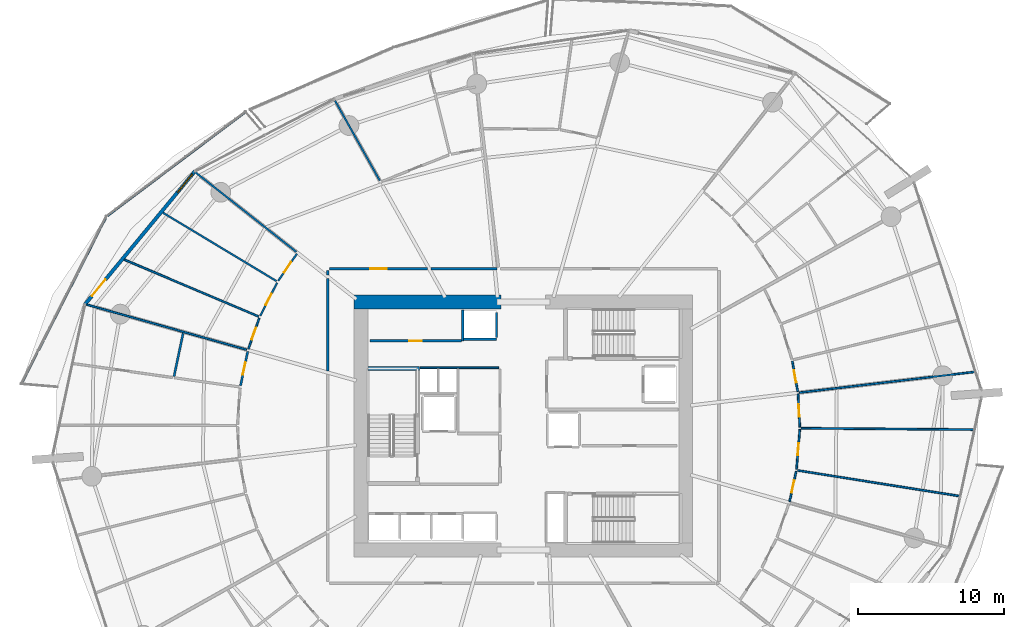
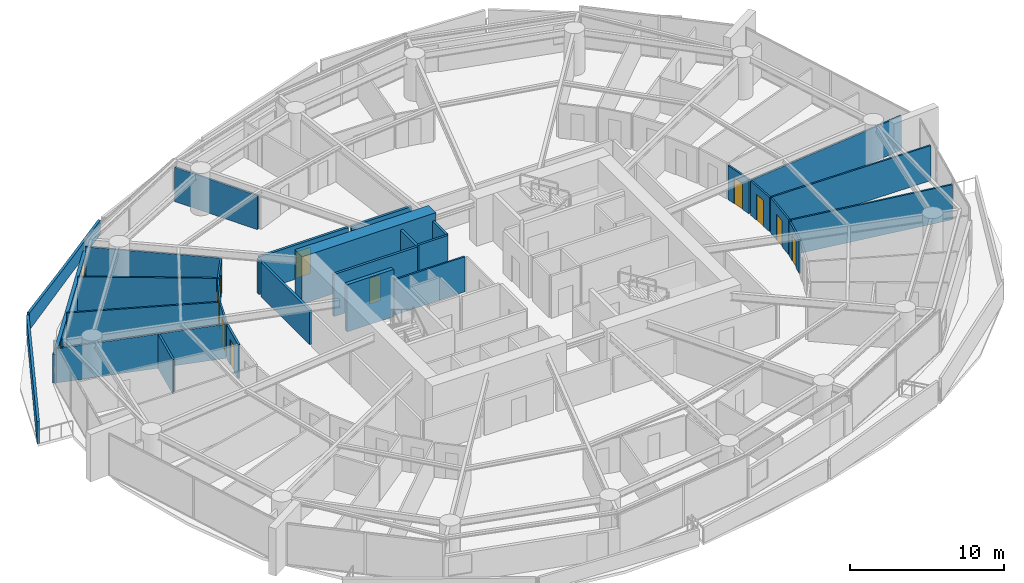
# One storey, part 22 of 31: 31 walls, 11 doors, 1 window, 12 openings.
"""IFC4 building model written with IfcOpenShell, lengths in metres."""

from ifc_helpers import new_model, si_unit, direction, frame, frame_2d, origin, place, context, subcontext, project, spatial, polyline, rectangle, outline, extrude, material, layer, layer_set, type_object, element, fill, save


model = new_model("IFC4")

# Units and contexts
model_context = context("Model", 3, precision=1e-05, world=origin(), true_north=direction((0.0, 1.0)))
body_context = subcontext(model_context, "Body", "Model", "MODEL_VIEW")
ifc_project = project(units=[si_unit("LENGTHUNIT", "METRE"), si_unit("AREAUNIT", "SQUARE_METRE"), si_unit("VOLUMEUNIT", "CUBIC_METRE"), si_unit("PLANEANGLEUNIT", "RADIAN"), si_unit("MASSUNIT", "GRAM", prefix="KILO")], contexts=[model_context])

# Site, building, storey
site_placement = place(None, origin())
site = spatial("IfcSite", under=ifc_project, at=site_placement, CompositionType="ELEMENT")
building_placement = place(site_placement, origin())
building = spatial("IfcBuilding", under=site, at=building_placement, Name="Kazma Halo Residences", CompositionType="ELEMENT")
storey_placement = place(building_placement, frame((0.0, 0.0, 67.64990234375)))
storey = spatial("IfcBuildingStorey", under=building, at=storey_placement, Name="L16", CompositionType="ELEMENT", Elevation=67.64990234375)

# Walls
ifc_material_1 = material(Name="White Concrete C50/60 Balustrade", Category="concrete")
ifc_layer_1 = layer(ifc_material_1, 0.179931640625)
ifc_layer_set_1 = layer_set([ifc_layer_1], Name="White Concrete C50/60 Balustrade")
wall_type_1 = type_object("IfcWallType", Name="WL-BAL-WAVE-180", PredefinedType="PARAPET", material=ifc_layer_set_1)
wall_1_placement = place(storey_placement, frame((29.413330078125, 63.494873046875, 0.0), z_axis=(0.0, 0.0, 1.0), x_axis=(-0.798916487869, -0.601441971773, 0.0)))
element("IfcWall", 1, at=wall_1_placement, inside=storey, type_object=wall_type_1, Name="L16 white wave balustrade wall NW.1", PredefinedType="PARAPET", context=body_context, shape_type="SweptSolid", body=[
    extrude(outline(polyline([(0.0, 0.0), (11.802978515625, 0.0), (11.802978515625, 1.34814453125), (5.901611328125, 1.18212890625), (0.0, 1.1201171875), (0.0, 0.0)])), frame((0.0, 0.08984375, 0.0), z_axis=(0.0, -1.0, 0.0), x_axis=(1.0, 0.0, 0.0)), (0.0, 0.0, 1.0), 0.179931640625),
])
wall_2_placement = place(storey_placement, frame((19.83349609375, 56.216796875, 0.0), z_axis=(0.0, 0.0, 1.0), x_axis=(-0.452795448166, -0.891614424581, 0.0)))
element("IfcWall", 2, at=wall_2_placement, inside=storey, type_object=wall_type_1, Name="L16 white wave balustrade wall NW.2", PredefinedType="PARAPET", context=body_context, shape_type="SweptSolid", body=[
    extrude(outline(polyline([(0.0, 0.0), (12.716796875, 0.0), (12.716796875, 1.7470703125), (6.3583984375, 1.56201171875), (0.0, 1.34814453125), (0.0, 0.0)])), frame((0.0, 0.08984375, 0.0), z_axis=(0.0, -1.0, 0.0), x_axis=(1.0, 0.0, 0.0)), (0.0, 0.0, 1.0), 0.179931640625),
])
ifc_material_2 = material(Name="Concrete C80/95", Category="concrete")
ifc_layer_2 = layer(ifc_material_2, 0.949951171875)
ifc_layer_set_2 = layer_set([ifc_layer_2], Name="Concrete C80/95")
wall_type_2 = type_object("IfcWallType", Name="WL-CORE-950", PredefinedType="SHEAR", material=ifc_layer_set_2)
wall_3_placement = place(storey_placement, frame((36.85009765625, 50.47509765625, 0.0), z_axis=(0.0, 0.0, 1.0), x_axis=(1.0, 0.0, 0.0)))
element("IfcWall", 3, at=wall_3_placement, inside=storey, type_object=wall_type_2, Name="L16 central core shear wall NW", PredefinedType="SHEAR", context=body_context, shape_type="SweptSolid", body=[
    extrude(rectangle(XDim=10.0498046875, YDim=0.949951171875, at=frame_2d((5.02490234375, 0.0))), origin(), (0.0, 0.0, 1.0), 3.75),
])
ifc_material_3 = material(Name="Concrete C60/75", Category="concrete")
ifc_layer_3 = layer(ifc_material_3, 0.280029296875)
ifc_layer_set_3 = layer_set([ifc_layer_3], Name="Concrete C60/75")
wall_type_3 = type_object("IfcWallType", Name="WL-CORE-ST-280", PredefinedType="SHEAR", material=ifc_layer_set_3)
wall_4_placement = place(storey_placement, frame((37.800048828125, 45.93994140625, 0.0), z_axis=(0.0, 0.0, 1.0), x_axis=(1.0, 0.0, 0.0)))
element("IfcWall", 4, at=wall_4_placement, inside=storey, type_object=wall_type_3, Name="L16 stairwell bearing wall ST01-N", PredefinedType="SHEAR", context=body_context, shape_type="SweptSolid", body=[
    extrude(rectangle(XDim=3.5, YDim=0.280029296875, at=frame_2d((1.75, 0.0))), origin(), (0.0, 0.0, 1.0), 3.75),
])

# Wall, opening, door
ifc_material_4 = material(Name="Acoustic Twin-Stud Gypsum")
ifc_layer_4 = layer(ifc_material_4, 0.179931640625)
ifc_layer_set_4 = layer_set([ifc_layer_4], Name="Acoustic Twin-Stud Gypsum")
wall_type_4 = type_object("IfcWallType", Name="WL-DEM-180", PredefinedType="PARTITIONING", material=ifc_layer_set_4)
wall_5_placement = place(storey_placement, frame((41.859619140625, 52.75, 0.0), z_axis=(0.0, 0.0, 1.0), x_axis=(-1.0, 0.0, 0.0)))
wall_5 = element("IfcWall", 5, at=wall_5_placement, inside=storey, type_object=wall_type_4, Name="L16 Apartment 1 entrance corridor wall", PredefinedType="PARTITIONING", context=body_context, shape_type="SweptSolid", body=[
    extrude(rectangle(XDim=6.689697265625, YDim=0.179931640625, at=frame_2d((3.3447265625, 0.0))), origin(), (0.0, 0.0, 1.0), 2.717041015625),
])
opening_1_placement = place(wall_5_placement, frame((2.794921875, 0.0, 0.0)))
opening_1 = element("IfcOpeningElement", 6, at=opening_1_placement, cuts=wall_5, Name="Opening DA-1100", PredefinedType="OPENING", context=body_context, shape_type="SweptSolid", body=[
    extrude(rectangle(XDim=1.10009765625, YDim=2.10009765625, at=frame_2d((0.550048828125, 1.050048828125))), frame((0.0, 0.099853515625, 0.0), z_axis=(0.0, -1.0, 0.0), x_axis=(1.0, 0.0, 0.0)), (0.0, 0.0, 1.0), 0.199951171875),
])
ifc_material_5 = material(Name="Acoustic Walnut Fire Leaf")
door_type_1 = type_object("IfcDoorType", Name="DR-FD60-1100", OperationType="NOTDEFINED", PredefinedType="DOOR", material=ifc_material_5)
door_1_placement = place(opening_1_placement, origin())
door_1 = element("IfcDoor", 7, at=door_1_placement, inside=storey, type_object=door_type_1, Name="L16 Apartment 1 entrance fire door", OperationType="SINGLE_SWING_RIGHT", OverallHeight=2.10009765625, OverallWidth=1.10009765625, PredefinedType="DOOR", context=body_context, shape_type="SweptSolid", body=[
    extrude(rectangle(XDim=1.10009765625, YDim=2.10009765625, at=frame_2d((0.550048828125, 1.050048828125))), frame((0.0, 0.02490234375, 0.0), z_axis=(0.0, -1.0, 0.0), x_axis=(1.0, 0.0, 0.0)), (0.0, 0.0, 1.0), 0.050048828125),
])
fill(opening_1, door_1)

# Walls
wall_6_placement = place(storey_placement, frame((35.050048828125, 52.6298828125, 0.0), z_axis=(0.0, 0.0, 1.0), x_axis=(0.0, -1.0, 0.0)))
element("IfcWall", 8, at=wall_6_placement, inside=storey, type_object=wall_type_4, Name="L16 Apartment 1 entrance corridor wall", PredefinedType="PARTITIONING", context=body_context, shape_type="SweptSolid", body=[
    extrude(rectangle(XDim=0.30078125, YDim=0.179931640625, at=frame_2d((0.150390625, 0.0))), origin(), (0.0, 0.0, 1.0), 2.717041015625),
])
wall_7_placement = place(storey_placement, frame((46.607666015625, 52.75, 0.0), z_axis=(0.0, 0.0, 1.0), x_axis=(-1.0, 0.0, 0.0)))
element("IfcWall", 9, at=wall_7_placement, inside=storey, type_object=wall_type_4, Name="L16 Apartment 1 inner wall 3", PredefinedType="PARTITIONING", context=body_context, shape_type="SweptSolid", body=[
    extrude(rectangle(XDim=4.508056640625, YDim=0.179931640625, at=frame_2d((2.25390625, 0.0))), origin(), (0.0, 0.0, 1.0), 2.717041015625),
])
wall_8_placement = place(storey_placement, frame((35.050048828125, 52.089111328125, 0.0), z_axis=(0.0, 0.0, 1.0), x_axis=(0.0, -1.0, 0.0)))
element("IfcWall", 10, at=wall_8_placement, inside=storey, type_object=wall_type_4, Name="L16 Apartment 1 inner wall 5", PredefinedType="PARTITIONING", context=body_context, shape_type="SweptSolid", body=[
    extrude(rectangle(XDim=6.31689453125, YDim=0.179931640625, at=frame_2d((3.158447265625, 0.0))), origin(), (0.0, 0.0, 1.0), 2.717041015625),
])

# Wall, openings, door, window
ifc_material_6 = material(Name="Insulated Pale-Metal Composite Wall")
ifc_layer_5 = layer(ifc_material_6, 0.239990234375)
ifc_layer_set_5 = layer_set([ifc_layer_5], Name="Insulated Pale-Metal Composite Wall")
wall_type_5 = type_object("IfcWallType", Name="WL-EXT-HOST-240", PredefinedType="SOLIDWALL", material=ifc_layer_set_5)
wall_9_placement = place(storey_placement, frame((25.966796875, 59.433349609375, 0.0), z_axis=(0.0, 0.0, 1.0), x_axis=(-0.636674332663, -0.771132799281, 0.0)))
wall_9 = element("IfcWall", 11, at=wall_9_placement, inside=storey, type_object=wall_type_5, Name="L16 exterior terrace-access wall B06", PredefinedType="SOLIDWALL", context=body_context, shape_type="SweptSolid", body=[
    extrude(rectangle(XDim=11.851318359375, YDim=0.239990234375, at=frame_2d((5.92578125, 0.0))), origin(), (0.0, 0.0, 1.0), 2.300048828125),
])
opening_2_placement = place(wall_9_placement, frame((9.631103515625, 0.0, 0.0)))
opening_2 = element("IfcOpeningElement", 12, at=opening_2_placement, cuts=wall_9, Name="Opening DTR-1600", PredefinedType="OPENING", context=body_context, shape_type="SweptSolid", body=[
    extrude(rectangle(XDim=1.449951171875, YDim=2.14990234375, at=frame_2d((0.72509765625, 1.074951171875))), frame((0.0, 0.1298828125, 0.0), z_axis=(0.0, -1.0, 0.0), x_axis=(1.0, 0.0, 0.0)), (0.0, 0.0, 1.0), 0.260009765625),
])
opening_3_placement = place(wall_9_placement, frame((0.280029296875, 0.0, 0.64990234375)))
opening_3 = element("IfcOpeningElement", 13, at=opening_3_placement, cuts=wall_9, Name="Opening W-1800", PredefinedType="OPENING", context=body_context, shape_type="SweptSolid", body=[
    extrude(rectangle(XDim=1.60009765625, YDim=1.5, at=frame_2d((0.800048828125, 0.75))), frame((0.0, 0.1298828125, 0.0), z_axis=(0.0, -1.0, 0.0), x_axis=(1.0, 0.0, 0.0)), (0.0, 0.0, 1.0), 0.260009765625),
])
ifc_material_7 = material(Name="Aluminium AW-6063 T6 Double-Glazed Terrace Door", Category="aluminium")
door_type_2 = type_object("IfcDoorType", Name="DR-EXT-TERR-1600", OperationType="NOTDEFINED", PredefinedType="DOOR", material=ifc_material_7)
door_2_placement = place(opening_2_placement, origin())
door_2 = element("IfcDoor", 14, at=door_2_placement, inside=storey, type_object=door_type_2, Name="L16 B06 balcony terrace door", OperationType="DOUBLE_DOOR_SLIDING", OverallHeight=2.14990234375, OverallWidth=1.449951171875, PredefinedType="DOOR", context=body_context, shape_type="SweptSolid", body=[
    extrude(rectangle(XDim=1.449951171875, YDim=2.14990234375, at=frame_2d((0.72509765625, 1.074951171875))), frame((0.0, 0.02490234375, 0.0), z_axis=(0.0, -1.0, 0.0), x_axis=(1.0, 0.0, 0.0)), (0.0, 0.0, 1.0), 0.050048828125),
])
fill(opening_2, door_2)
ifc_material_8 = material(Name="Clear Triple-Silver Low-E Glass in Aluminium AW-6063 T6 Frame", Category="aluminium")
window_type = type_object("IfcWindowType", Name="WIN-RES-1800", PartitioningType="DOUBLE_PANEL_VERTICAL", PredefinedType="WINDOW", material=ifc_material_8)
window_placement = place(opening_3_placement, origin())
window = element("IfcWindow", 15, at=window_placement, inside=storey, type_object=window_type, Name="L16 B06 apartment window", OverallHeight=1.5, OverallWidth=1.60009765625, PartitioningType="SINGLE_PANEL", PredefinedType="WINDOW", context=body_context, shape_type="SweptSolid", body=[
    extrude(rectangle(XDim=1.60009765625, YDim=1.5, at=frame_2d((0.800048828125, 0.75))), frame((0.0, 0.030029296875, 0.0), z_axis=(0.0, -1.0, 0.0), x_axis=(1.0, 0.0, 0.0)), (0.0, 0.0, 1.0), 0.06005859375),
])
fill(opening_3, window)

# Walls
ifc_material_9 = material(Name="Fire-Rated Blockwork Masonry", Category="masonry")
ifc_layer_6 = layer(ifc_material_9, 0.199951171875)
ifc_layer_set_6 = layer_set([ifc_layer_6], Name="Fire-Rated Blockwork Masonry")
wall_type_6 = type_object("IfcWallType", Name="WL-FLB-200", PredefinedType="PARTITIONING", material=ifc_layer_set_6)
wall_10_placement = place(storey_placement, frame((46.580078125, 47.945068359375, 0.0), z_axis=(0.0, 0.0, 1.0), x_axis=(-1.0, 0.0, 0.0)))
element("IfcWall", 16, at=wall_10_placement, inside=storey, type_object=wall_type_6, Name="L16 lift shaft PX-01 front wall", PredefinedType="PARTITIONING", context=body_context, shape_type="SweptSolid", body=[
    extrude(rectangle(XDim=2.260009765625, YDim=0.159912109375, at=frame_2d((1.1298828125, 0.0))), origin(), (0.0, 0.0, 1.0), 3.35009765625),
])
wall_11_placement = place(storey_placement, frame((46.580078125, 48.044921875, 0.0), z_axis=(0.0, 0.0, 1.0), x_axis=(0.0, 1.0, 0.0)))
element("IfcWall", 17, at=wall_11_placement, inside=storey, type_object=wall_type_6, Name="L16 lift shaft PX-01 side wall E", PredefinedType="PARTITIONING", context=body_context, shape_type="SweptSolid", body=[
    extrude(rectangle(XDim=1.7099609375, YDim=0.159912109375, at=frame_2d((0.85498046875, 0.0))), origin(), (0.0, 0.0, 1.0), 3.35009765625),
])

# Wall, opening, door
wall_12_placement = place(storey_placement, frame((37.919921875, 47.820068359375, 0.0), z_axis=(0.0, 0.0, 1.0), x_axis=(1.0, 0.0, 0.0)))
wall_12 = element("IfcWall", 18, at=wall_12_placement, inside=storey, type_object=wall_type_6, Name="L16 core north reserve wall", PredefinedType="PARTITIONING", context=body_context, shape_type="SweptSolid", body=[
    extrude(rectangle(XDim=6.260009765625, YDim=0.179931640625, at=frame_2d((3.1298828125, 0.0))), origin(), (0.0, 0.0, 1.0), 3.35009765625),
])
opening_4_placement = place(wall_12_placement, frame((2.705078125, 0.0, 0.0)))
opening_4 = element("IfcOpeningElement", 19, at=opening_4_placement, cuts=wall_12, Name="Opening DS-850", PredefinedType="OPENING", context=body_context, shape_type="SweptSolid", body=[
    extrude(rectangle(XDim=0.85009765625, YDim=2.06005859375, at=frame_2d((0.425048828125, 1.030029296875))), frame((0.0, 0.099853515625, 0.0), z_axis=(0.0, -1.0, 0.0), x_axis=(1.0, 0.0, 0.0)), (0.0, 0.0, 1.0), 0.199951171875),
])
ifc_material_10 = material(Name="Painted Steel Access Leaf", Category="steel")
door_type_3 = type_object("IfcDoorType", Name="DR-SVC-850", OperationType="NOTDEFINED", PredefinedType="DOOR", material=ifc_material_10)
door_3_placement = place(opening_4_placement, origin())
door_3 = element("IfcDoor", 20, at=door_3_placement, inside=storey, type_object=door_type_3, Name="L16 core north reserve door", OperationType="SINGLE_SWING_RIGHT", OverallHeight=2.06005859375, OverallWidth=0.85009765625, PredefinedType="DOOR", context=body_context, shape_type="SweptSolid", body=[
    extrude(rectangle(XDim=0.85009765625, YDim=2.06005859375, at=frame_2d((0.425048828125, 1.030029296875))), frame((0.0, 0.02490234375, 0.0), z_axis=(0.0, -1.0, 0.0), x_axis=(1.0, 0.0, 0.0)), (0.0, 0.0, 1.0), 0.050048828125),
])
fill(opening_4, door_3)

# Walls
wall_13_placement = place(storey_placement, frame((44.280029296875, 47.820068359375, 0.0), z_axis=(0.0, 0.0, 1.0), x_axis=(0.0, 1.0, 0.0)))
element("IfcWall", 21, at=wall_13_placement, inside=storey, type_object=wall_type_6, Name="L16 PX-01 hoistway west wall", PredefinedType="PARTITIONING", context=body_context, shape_type="SweptSolid", body=[
    extrude(rectangle(XDim=2.1298828125, YDim=0.179931640625, at=frame_2d((1.06494140625, 0.0))), origin(), (0.0, 0.0, 1.0), 3.35009765625),
])
ifc_material_11 = material(Name="Gypsum Plasterboard Partition")
ifc_layer_7 = layer(ifc_material_11, 0.125)
ifc_layer_set_7 = layer_set([ifc_layer_7], Name="Gypsum Plasterboard Partition")
wall_type_7 = type_object("IfcWallType", Name="WL-PART-125", PredefinedType="PARTITIONING", material=ifc_layer_set_7)
wall_14_placement = place(storey_placement, frame((41.360107421875, 45.97998046875, 0.0), z_axis=(0.0, 0.0, 1.0), x_axis=(1.0, 0.0, 0.0)))
element("IfcWall", 22, at=wall_14_placement, inside=storey, type_object=wall_type_7, Name="L16 core north riser wall", PredefinedType="PARTITIONING", context=body_context, shape_type="SweptSolid", body=[
    extrude(rectangle(XDim=5.35986328125, YDim=0.125, at=frame_2d((2.679931640625, 0.0))), origin(), (0.0, 0.0, 1.0), 2.7900390625),
])
wall_15_placement = place(storey_placement, frame((38.603759765625, 58.778076171875, 0.0), z_axis=(0.0, 0.0, 1.0), x_axis=(-0.488617606889, 0.872498042541, 0.0)))
element("IfcWall", 23, at=wall_15_placement, inside=storey, type_object=wall_type_7, Name="L16 Apartment 1 living radial partition 3", PredefinedType="PARTITIONING", context=body_context, shape_type="SweptSolid", body=[
    extrude(rectangle(XDim=6.265625, YDim=0.125, at=frame_2d((3.1328125, 0.0))), origin(), (0.0, 0.0, 1.0), 2.717041015625),
])
wall_16_placement = place(storey_placement, frame((32.8984375, 53.9052734375, 0.0), z_axis=(0.0, 0.0, 1.0), x_axis=(-0.78532854108, 0.619079221558, 0.0)))
element("IfcWall", 24, at=wall_16_placement, inside=storey, type_object=wall_type_7, Name="L16 Apartment 1 radial partition 5", PredefinedType="PARTITIONING", context=body_context, shape_type="SweptSolid", body=[
    extrude(rectangle(XDim=8.842041015625, YDim=0.125, at=frame_2d((4.4208984375, 0.0))), origin(), (0.0, 0.0, 1.0), 2.717041015625),
])
wall_17_placement = place(storey_placement, frame((31.533935546875, 51.913330078125, 0.0), z_axis=(0.0, 0.0, 1.0), x_axis=(-0.856706990958, 0.515803384676, 0.0)))
element("IfcWall", 25, at=wall_17_placement, inside=storey, type_object=wall_type_7, Name="L16 Apartment 1 bay wall 1 5", PredefinedType="PARTITIONING", context=body_context, shape_type="SweptSolid", body=[
    extrude(rectangle(XDim=9.056640625, YDim=0.125, at=frame_2d((4.5283203125, 0.0))), origin(), (0.0, 0.0, 1.0), 2.7900390625),
])
wall_18_placement = place(storey_placement, frame((30.30126953125, 49.494384765625, 0.0), z_axis=(0.0, 0.0, 1.0), x_axis=(-0.920840746031, 0.389938867579, 0.0)))
element("IfcWall", 26, at=wall_18_placement, inside=storey, type_object=wall_type_7, Name="L16 Apartment 1 bay wall 2 5", PredefinedType="PARTITIONING", context=body_context, shape_type="SweptSolid", body=[
    extrude(rectangle(XDim=9.965576171875, YDim=0.125, at=frame_2d((4.98291015625, 0.0))), origin(), (0.0, 0.0, 1.0), 2.7900390625),
])

# Wall, opening, door
wall_19_placement = place(storey_placement, frame((32.931396484375, 53.777587890625, 0.0), z_axis=(0.0, 0.0, 1.0), x_axis=(-0.568541738061, -0.822654418382, 0.0)))
wall_19 = element("IfcWall", 27, at=wall_19_placement, inside=storey, type_object=wall_type_7, Name="L16 Apartment 1 East Bedroom hall wall", PredefinedType="PARTITIONING", context=body_context, shape_type="SweptSolid", body=[
    extrude(rectangle(XDim=2.242431640625, YDim=0.125, at=frame_2d((1.12109375, 0.0))), origin(), (0.0, 0.0, 1.0), 2.717041015625),
])
opening_5_placement = place(wall_19_placement, frame((0.6962890625, 0.0, 0.0)))
opening_5 = element("IfcOpeningElement", 28, at=opening_5_placement, cuts=wall_19, Name="Opening DB-900", PredefinedType="OPENING", context=body_context, shape_type="SweptSolid", body=[
    extrude(rectangle(XDim=0.85009765625, YDim=2.06005859375, at=frame_2d((0.425048828125, 1.030029296875))), frame((0.0, 0.072509765625, 0.0), z_axis=(0.0, -1.0, 0.0), x_axis=(1.0, 0.0, 0.0)), (0.0, 0.0, 1.0), 0.14501953125),
])
ifc_material_12 = material(Name="Moisture-Sealed Timber Leaf", Category="wood")
door_type_4 = type_object("IfcDoorType", Name="DR-BTH-900", OperationType="NOTDEFINED", PredefinedType="DOOR", material=ifc_material_12)
door_4_placement = place(opening_5_placement, origin())
door_4 = element("IfcDoor", 29, at=door_4_placement, inside=storey, type_object=door_type_4, Name="L16 Apartment 1 East Bedroom door", OperationType="SINGLE_SWING_LEFT", OverallHeight=2.06005859375, OverallWidth=0.85009765625, PredefinedType="DOOR", context=body_context, shape_type="SweptSolid", body=[
    extrude(rectangle(XDim=0.85009765625, YDim=2.06005859375, at=frame_2d((0.425048828125, 1.030029296875))), frame((0.0, 0.02490234375, 0.0), z_axis=(0.0, -1.0, 0.0), x_axis=(1.0, 0.0, 0.0)), (0.0, 0.0, 1.0), 0.050048828125),
])
fill(opening_5, door_4)

wall_20_placement = place(storey_placement, frame((31.57470703125, 51.795654296875, 0.0), z_axis=(0.0, 0.0, 1.0), x_axis=(-0.454037986735, -0.890982326762, 0.0)))
wall_20 = element("IfcWall", 30, at=wall_20_placement, inside=storey, type_object=wall_type_7, Name="L16 Apartment 1 West Study hall wall", PredefinedType="PARTITIONING", context=body_context, shape_type="SweptSolid", body=[
    extrude(rectangle(XDim=2.542236328125, YDim=0.125, at=frame_2d((1.27099609375, 0.0))), origin(), (0.0, 0.0, 1.0), 2.7900390625),
])
opening_6_placement = place(wall_20_placement, frame((0.84619140625, 0.0, 0.0)))
opening_6 = element("IfcOpeningElement", 31, at=opening_6_placement, cuts=wall_20, Name="Opening DB-900", PredefinedType="OPENING", context=body_context, shape_type="SweptSolid", body=[
    extrude(rectangle(XDim=0.85009765625, YDim=2.06005859375, at=frame_2d((0.425048828125, 1.030029296875))), frame((0.0, 0.072509765625, 0.0), z_axis=(0.0, -1.0, 0.0), x_axis=(1.0, 0.0, 0.0)), (0.0, 0.0, 1.0), 0.14501953125),
])
door_5_placement = place(opening_6_placement, origin())
door_5 = element("IfcDoor", 32, at=door_5_placement, inside=storey, type_object=door_type_4, Name="L16 Apartment 1 West Study door", OperationType="SINGLE_SWING_RIGHT", OverallHeight=2.06005859375, OverallWidth=0.85009765625, PredefinedType="DOOR", context=body_context, shape_type="SweptSolid", body=[
    extrude(rectangle(XDim=0.85009765625, YDim=2.06005859375, at=frame_2d((0.425048828125, 1.030029296875))), frame((0.0, 0.02490234375, 0.0), z_axis=(0.0, -1.0, 0.0), x_axis=(1.0, 0.0, 0.0)), (0.0, 0.0, 1.0), 0.050048828125),
])
fill(opening_6, door_5)

wall_21_placement = place(storey_placement, frame((30.357666015625, 49.3837890625, 0.0), z_axis=(0.0, 0.0, 1.0), x_axis=(-0.331344536708, -0.943509829304, 0.0)))
wall_21 = element("IfcWall", 33, at=wall_21_placement, inside=storey, type_object=wall_type_7, Name="L16 Apartment 1 North Bedroom hall wall", PredefinedType="PARTITIONING", context=body_context, shape_type="SweptSolid", body=[
    extrude(rectangle(XDim=2.2421875, YDim=0.125, at=frame_2d((1.12109375, 0.0))), origin(), (0.0, 0.0, 1.0), 2.717041015625),
])
opening_7_placement = place(wall_21_placement, frame((0.696044921875, 0.0, 0.0)))
opening_7 = element("IfcOpeningElement", 34, at=opening_7_placement, cuts=wall_21, Name="Opening DB-900", PredefinedType="OPENING", context=body_context, shape_type="SweptSolid", body=[
    extrude(rectangle(XDim=0.85009765625, YDim=2.06005859375, at=frame_2d((0.425048828125, 1.030029296875))), frame((0.0, 0.072509765625, 0.0), z_axis=(0.0, -1.0, 0.0), x_axis=(1.0, 0.0, 0.0)), (0.0, 0.0, 1.0), 0.14501953125),
])
door_6_placement = place(opening_7_placement, origin())
door_6 = element("IfcDoor", 35, at=door_6_placement, inside=storey, type_object=door_type_4, Name="L16 Apartment 1 North Bedroom door", OperationType="SINGLE_SWING_LEFT", OverallHeight=2.06005859375, OverallWidth=0.85009765625, PredefinedType="DOOR", context=body_context, shape_type="SweptSolid", body=[
    extrude(rectangle(XDim=0.85009765625, YDim=2.06005859375, at=frame_2d((0.425048828125, 1.030029296875))), frame((0.0, 0.02490234375, 0.0), z_axis=(0.0, -1.0, 0.0), x_axis=(1.0, 0.0, 0.0)), (0.0, 0.0, 1.0), 0.050048828125),
])
fill(opening_7, door_6)

# Walls
wall_22_placement = place(storey_placement, frame((29.491943359375, 47.2197265625, 0.0), z_axis=(0.0, 0.0, 1.0), x_axis=(-0.962454721813, 0.271442274635, 0.0)))
element("IfcWall", 36, at=wall_22_placement, inside=storey, type_object=wall_type_7, Name="L16 Apartment 1 radial partition 6", PredefinedType="PARTITIONING", context=body_context, shape_type="SweptSolid", body=[
    extrude(rectangle(XDim=11.344482421875, YDim=0.125, at=frame_2d((5.67236328125, 0.0))), origin(), (0.0, 0.0, 1.0), 2.717041015625),
])
wall_23_placement = place(storey_placement, frame((67.183837890625, 38.961669921875, 0.0), z_axis=(0.0, 0.0, 1.0), x_axis=(0.987685842404, -0.156450237182, 0.0)))
element("IfcWall", 37, at=wall_23_placement, inside=storey, type_object=wall_type_7, Name="L16 Apartment 3 bay wall 1 14", PredefinedType="PARTITIONING", context=body_context, shape_type="SweptSolid", body=[
    extrude(rectangle(XDim=11.234130859375, YDim=0.125, at=frame_2d((5.6171875, 0.0))), origin(), (0.0, 0.0, 1.0), 2.7900390625),
])
wall_24_placement = place(storey_placement, frame((67.42236328125, 41.847412109375, 0.0), z_axis=(0.0, 0.0, 1.0), x_axis=(0.999969106173, -0.007860451618, 0.0)))
element("IfcWall", 38, at=wall_24_placement, inside=storey, type_object=wall_type_7, Name="L16 Apartment 3 bay wall 2 14", PredefinedType="PARTITIONING", context=body_context, shape_type="SweptSolid", body=[
    extrude(rectangle(XDim=11.83349609375, YDim=0.125, at=frame_2d((5.916748046875, 0.0))), origin(), (0.0, 0.0, 1.0), 2.7900390625),
])

# Wall, opening, door
wall_25_placement = place(storey_placement, frame((66.624267578125, 36.830322265625, 0.0), z_axis=(0.0, 0.0, 1.0), x_axis=(0.214316036982, 0.976764370917, 0.0)))
wall_25 = element("IfcWall", 39, at=wall_25_placement, inside=storey, type_object=wall_type_7, Name="L16 Apartment 3 Primary Bedroom hall wall", PredefinedType="PARTITIONING", context=body_context, shape_type="SweptSolid", body=[
    extrude(rectangle(XDim=2.116455078125, YDim=0.125, at=frame_2d((1.05810546875, 0.0))), origin(), (0.0, 0.0, 1.0), 2.717041015625),
])
opening_8_placement = place(wall_25_placement, frame((0.63330078125, 0.0, 0.0)))
opening_8 = element("IfcOpeningElement", 40, at=opening_8_placement, cuts=wall_25, Name="Opening DB-900", PredefinedType="OPENING", context=body_context, shape_type="SweptSolid", body=[
    extrude(rectangle(XDim=0.85009765625, YDim=2.06005859375, at=frame_2d((0.425048828125, 1.030029296875))), frame((0.0, 0.072509765625, 0.0), z_axis=(0.0, -1.0, 0.0), x_axis=(1.0, 0.0, 0.0)), (0.0, 0.0, 1.0), 0.14501953125),
])
door_7_placement = place(opening_8_placement, origin())
door_7 = element("IfcDoor", 41, at=door_7_placement, inside=storey, type_object=door_type_4, Name="L16 Apartment 3 Primary Bedroom door", OperationType="SINGLE_SWING_RIGHT", OverallHeight=2.06005859375, OverallWidth=0.85009765625, PredefinedType="DOOR", context=body_context, shape_type="SweptSolid", body=[
    extrude(rectangle(XDim=0.85009765625, YDim=2.06005859375, at=frame_2d((0.425048828125, 1.030029296875))), frame((0.0, 0.02490234375, 0.0), z_axis=(0.0, -1.0, 0.0), x_axis=(1.0, 0.0, 0.0)), (0.0, 0.0, 1.0), 0.050048828125),
])
fill(opening_8, door_7)

wall_26_placement = place(storey_placement, frame((67.1015625, 39.055419921875, 0.0), z_axis=(0.0, 0.0, 1.0), x_axis=(0.082325550285, 0.996605490538, 0.0)))
wall_26 = element("IfcWall", 42, at=wall_26_placement, inside=storey, type_object=wall_type_7, Name="L16 Apartment 3 Secondary Dressing Wardrobe hall wall", PredefinedType="PARTITIONING", context=body_context, shape_type="SweptSolid", body=[
    extrude(rectangle(XDim=2.722412109375, YDim=0.125, at=frame_2d((1.361328125, 0.0))), origin(), (0.0, 0.0, 1.0), 2.7900390625),
])
opening_9_placement = place(wall_26_placement, frame((0.936279296875, 0.0, 0.0)))
opening_9 = element("IfcOpeningElement", 43, at=opening_9_placement, cuts=wall_26, Name="Opening DB-900", PredefinedType="OPENING", context=body_context, shape_type="SweptSolid", body=[
    extrude(rectangle(XDim=0.85009765625, YDim=2.06005859375, at=frame_2d((0.425048828125, 1.030029296875))), frame((0.0, 0.072509765625, 0.0), z_axis=(0.0, -1.0, 0.0), x_axis=(1.0, 0.0, 0.0)), (0.0, 0.0, 1.0), 0.14501953125),
])
door_8_placement = place(opening_9_placement, origin())
door_8 = element("IfcDoor", 44, at=door_8_placement, inside=storey, type_object=door_type_4, Name="L16 Apartment 3 Secondary Dressing Wardrobe door", OperationType="SINGLE_SWING_LEFT", OverallHeight=2.06005859375, OverallWidth=0.85009765625, PredefinedType="DOOR", context=body_context, shape_type="SweptSolid", body=[
    extrude(rectangle(XDim=0.85009765625, YDim=2.06005859375, at=frame_2d((0.425048828125, 1.030029296875))), frame((0.0, 0.02490234375, 0.0), z_axis=(0.0, -1.0, 0.0), x_axis=(1.0, 0.0, 0.0)), (0.0, 0.0, 1.0), 0.050048828125),
])
fill(opening_9, door_8)

wall_27_placement = place(storey_placement, frame((67.327880859375, 41.927978515625, 0.0), z_axis=(0.0, 0.0, 1.0), x_axis=(-0.054903584575, 0.998491660657, 0.0)))
wall_27 = element("IfcWall", 45, at=wall_27_placement, inside=storey, type_object=wall_type_7, Name="L16 Apartment 3 East Master Bedroom hall wall", PredefinedType="PARTITIONING", context=body_context, shape_type="SweptSolid", body=[
    extrude(rectangle(XDim=2.267822265625, YDim=0.125, at=frame_2d((1.1337890625, 0.0))), origin(), (0.0, 0.0, 1.0), 2.717041015625),
])
opening_10_placement = place(wall_27_placement, frame((0.708984375, 0.0, 0.0)))
opening_10 = element("IfcOpeningElement", 46, at=opening_10_placement, cuts=wall_27, Name="Opening DB-900", PredefinedType="OPENING", context=body_context, shape_type="SweptSolid", body=[
    extrude(rectangle(XDim=0.85009765625, YDim=2.06005859375, at=frame_2d((0.425048828125, 1.030029296875))), frame((0.0, 0.072509765625, 0.0), z_axis=(0.0, -1.0, 0.0), x_axis=(1.0, 0.0, 0.0)), (0.0, 0.0, 1.0), 0.14501953125),
])
door_9_placement = place(opening_10_placement, origin())
door_9 = element("IfcDoor", 47, at=door_9_placement, inside=storey, type_object=door_type_4, Name="L16 Apartment 3 East Master Bedroom door", OperationType="SINGLE_SWING_RIGHT", OverallHeight=2.06005859375, OverallWidth=0.85009765625, PredefinedType="DOOR", context=body_context, shape_type="SweptSolid", body=[
    extrude(rectangle(XDim=0.85009765625, YDim=2.06005859375, at=frame_2d((0.425048828125, 1.030029296875))), frame((0.0, 0.02490234375, 0.0), z_axis=(0.0, -1.0, 0.0), x_axis=(1.0, 0.0, 0.0)), (0.0, 0.0, 1.0), 0.050048828125),
])
fill(opening_10, door_9)

# Wall
wall_28_placement = place(storey_placement, frame((67.29833984375, 44.2841796875, 0.0), z_axis=(0.0, 0.0, 1.0), x_axis=(0.993068589749, 0.117536275483, 0.0)))
element("IfcWall", 48, at=wall_28_placement, inside=storey, type_object=wall_type_7, Name="L16 Apartment 3 radial partition 15", PredefinedType="PARTITIONING", context=body_context, shape_type="SweptSolid", body=[
    extrude(rectangle(XDim=12.105712890625, YDim=0.125, at=frame_2d((6.052734375, 0.0))), origin(), (0.0, 0.0, 1.0), 2.717041015625),
])

# Wall, opening, door
wall_29_placement = place(storey_placement, frame((67.184814453125, 44.351318359375, 0.0), z_axis=(0.0, 0.0, 1.0), x_axis=(-0.175726743029, 0.984438983271, 0.0)))
wall_29 = element("IfcWall", 49, at=wall_29_placement, inside=storey, type_object=wall_type_7, Name="L16 Apartment 3 West Bedroom hall wall", PredefinedType="PARTITIONING", context=body_context, shape_type="SweptSolid", body=[
    extrude(rectangle(XDim=2.115966796875, YDim=0.125, at=frame_2d((1.05810546875, 0.0))), origin(), (0.0, 0.0, 1.0), 2.717041015625),
])
opening_11_placement = place(wall_29_placement, frame((0.633056640625, 0.0, 0.0)))
opening_11 = element("IfcOpeningElement", 50, at=opening_11_placement, cuts=wall_29, Name="Opening DB-900", PredefinedType="OPENING", context=body_context, shape_type="SweptSolid", body=[
    extrude(rectangle(XDim=0.85009765625, YDim=2.06005859375, at=frame_2d((0.425048828125, 1.030029296875))), frame((0.0, 0.072509765625, 0.0), z_axis=(0.0, -1.0, 0.0), x_axis=(1.0, 0.0, 0.0)), (0.0, 0.0, 1.0), 0.14501953125),
])
door_10_placement = place(opening_11_placement, origin())
door_10 = element("IfcDoor", 51, at=door_10_placement, inside=storey, type_object=door_type_4, Name="L16 Apartment 3 West Bedroom door", OperationType="SINGLE_SWING_LEFT", OverallHeight=2.06005859375, OverallWidth=0.85009765625, PredefinedType="DOOR", context=body_context, shape_type="SweptSolid", body=[
    extrude(rectangle(XDim=0.85009765625, YDim=2.06005859375, at=frame_2d((0.425048828125, 1.030029296875))), frame((0.0, 0.02490234375, 0.0), z_axis=(0.0, -1.0, 0.0), x_axis=(1.0, 0.0, 0.0)), (0.0, 0.0, 1.0), 0.050048828125),
])
fill(opening_11, door_10)

ifc_material_13 = material(Name="Moisture-Resistant Gypsum")
ifc_layer_8 = layer(ifc_material_13, 0.14990234375)
ifc_layer_set_8 = layer_set([ifc_layer_8], Name="Moisture-Resistant Gypsum")
wall_type_8 = type_object("IfcWallType", Name="WL-WET-150", PredefinedType="PARTITIONING", material=ifc_layer_set_8)
wall_30_placement = place(storey_placement, frame((29.567626953125, 47.0947265625, 0.0), z_axis=(0.0, 0.0, 1.0), x_axis=(-0.205861309483, -0.978581177654, 0.0)))
wall_30 = element("IfcWall", 52, at=wall_30_placement, inside=storey, type_object=wall_type_8, Name="L16 Apartment 1 South En-Suite Bathroom hall wall", PredefinedType="PARTITIONING", context=body_context, shape_type="SweptSolid", body=[
    extrude(rectangle(XDim=2.39208984375, YDim=0.14990234375, at=frame_2d((1.196044921875, 0.0))), origin(), (0.0, 0.0, 1.0), 2.717041015625),
])
opening_12_placement = place(wall_30_placement, frame((0.77099609375, 0.0, 0.0)))
opening_12 = element("IfcOpeningElement", 53, at=opening_12_placement, cuts=wall_30, Name="Opening DB-900", PredefinedType="OPENING", context=body_context, shape_type="SweptSolid", body=[
    extrude(rectangle(XDim=0.85009765625, YDim=2.06005859375, at=frame_2d((0.425048828125, 1.030029296875))), frame((0.0, 0.0849609375, 0.0), z_axis=(0.0, -1.0, 0.0), x_axis=(1.0, 0.0, 0.0)), (0.0, 0.0, 1.0), 0.169921875),
])
door_11_placement = place(opening_12_placement, origin())
door_11 = element("IfcDoor", 54, at=door_11_placement, inside=storey, type_object=door_type_4, Name="L16 Apartment 1 South En-Suite Bathroom door", OperationType="SINGLE_SWING_LEFT", OverallHeight=2.06005859375, OverallWidth=0.85009765625, PredefinedType="DOOR", context=body_context, shape_type="SweptSolid", body=[
    extrude(rectangle(XDim=0.85009765625, YDim=2.06005859375, at=frame_2d((0.425048828125, 1.030029296875))), frame((0.0, 0.02490234375, 0.0), z_axis=(0.0, -1.0, 0.0), x_axis=(1.0, 0.0, 0.0)), (0.0, 0.0, 1.0), 0.050048828125),
])
fill(opening_12, door_11)

# Wall
wall_31_placement = place(storey_placement, frame((25.14990234375, 48.3408203125, 0.0), z_axis=(0.0, 0.0, 1.0), x_axis=(-0.205879759174, -0.978577296264, 0.0)))
element("IfcWall", 55, at=wall_31_placement, inside=storey, type_object=wall_type_8, Name="L16 Apartment 1 South En-Suite Bathroom back wall", PredefinedType="PARTITIONING", context=body_context, shape_type="SweptSolid", body=[
    extrude(rectangle(XDim=3.011962890625, YDim=0.14990234375, at=frame_2d((1.505859375, 0.0))), origin(), (0.0, 0.0, 1.0), 2.717041015625),
])

save(model, "model.ifc")
